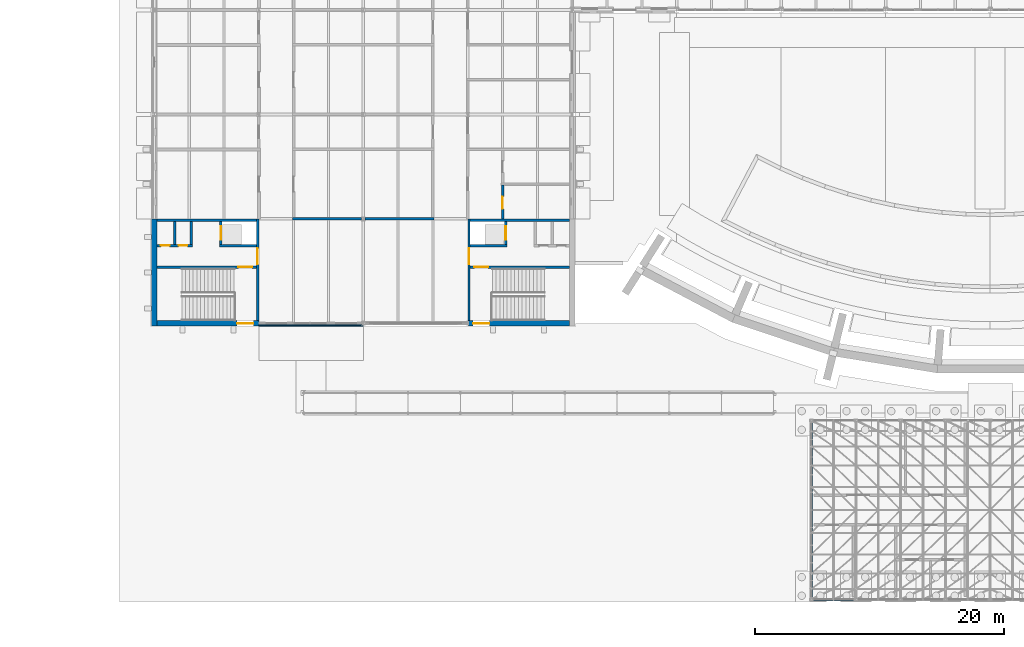
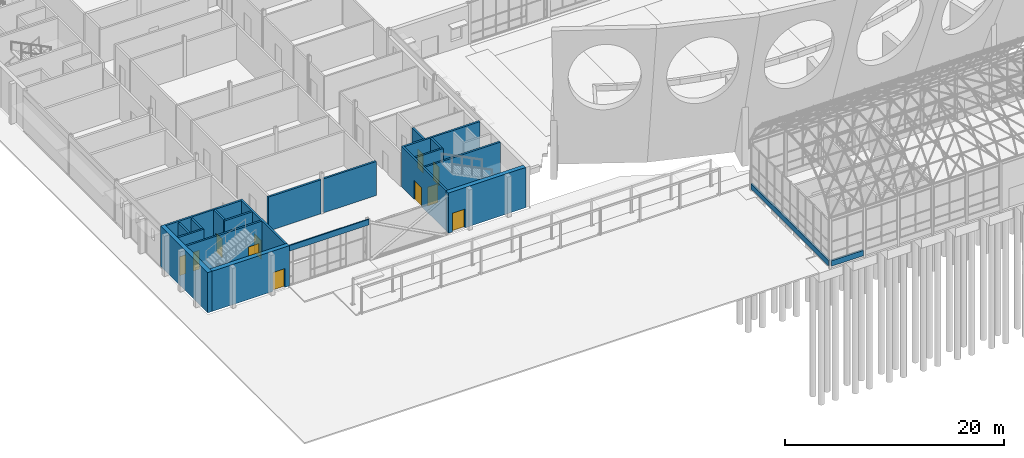
# One storey, part 82 of 116: 22 walls, 11 doors, 11 openings.
"""IFC4 building model written with IfcOpenShell, lengths in metres."""

from ifc_helpers import new_model, si_unit, direction, frame, frame_2d, origin, place, context, subcontext, project, spatial, rectangle, extrude, material, layer, layer_set, type_object, element, fill, save


model = new_model("IFC4")

# Units and contexts
model_context = context("Model", 3, precision=1e-05, world=origin(), true_north=direction((0.0, 1.0)))
body_context = subcontext(model_context, "Body", "Model", "MODEL_VIEW")
ifc_project = project(units=[si_unit("LENGTHUNIT", "METRE"), si_unit("AREAUNIT", "SQUARE_METRE"), si_unit("VOLUMEUNIT", "CUBIC_METRE"), si_unit("PLANEANGLEUNIT", "RADIAN"), si_unit("MASSUNIT", "GRAM", prefix="KILO")], contexts=[model_context])

# Site, building, storey
site_placement = place(None, origin())
site = spatial("IfcSite", under=ifc_project, at=site_placement, CompositionType="ELEMENT")
building_placement = place(site_placement, origin())
building = spatial("IfcBuilding", under=site, at=building_placement, Name="Ardhachandra Cancer Care Centre", CompositionType="ELEMENT")
storey_placement = place(building_placement, origin())
storey = spatial("IfcBuildingStorey", under=building, at=storey_placement, Name="L00", CompositionType="ELEMENT", Elevation=0.0)

# Wall, opening, door
ifc_material_1 = material(Name="Gypsum board corridor partition on steel studs", Category="steel")
ifc_layer_1 = layer(ifc_material_1, 0.199951171875)
ifc_layer_set_1 = layer_set([ifc_layer_1], Name="Gypsum board corridor partition on steel studs")
wall_type_1 = type_object("IfcWallType", Name="CORRIDOR WALL 200", PredefinedType="PARTITIONING", material=ifc_layer_set_1)
wall_1_placement = place(storey_placement, frame((38.800048828125, 37.800048828125, 0.0), z_axis=(0.0, 0.0, 1.0), x_axis=(0.0, 1.0, 0.0)))
wall_1 = element("IfcWall", 1, at=wall_1_placement, inside=storey, type_object=wall_type_1, Name="R/wall/L00/v0038800_0037800", PredefinedType="PARTITIONING", context=body_context, shape_type="SweptSolid", body=[
    extrude(rectangle(XDim=2.724853515625, YDim=0.199951171875, at=frame_2d((1.3623046875, 0.0))), origin(), (0.0, 0.0, 1.0), 3.949951171875),
])
opening_1_placement = place(wall_1_placement, frame((0.800048828125, 0.0, 0.0)))
opening_1 = element("IfcOpeningElement", 2, at=opening_1_placement, cuts=wall_1, Name="Opening L00-0071", PredefinedType="OPENING", context=body_context, shape_type="SweptSolid", body=[
    extrude(rectangle(XDim=1.0, YDim=2.10009765625, at=frame_2d((0.5, 1.050048828125))), frame((0.0, 0.10986328125, 0.0), z_axis=(0.0, -1.0, 0.0), x_axis=(1.0, 0.0, 0.0)), (0.0, 0.0, 1.0), 0.219970703125),
])
ifc_material_2 = material(Name="Timber fire door with smoke seals", Category="wood")
door_type_1 = type_object("IfcDoorType", Name="FIRE DOOR SINGLE 1000x2100 FD30S", OperationType="NOTDEFINED", PredefinedType="DOOR", material=ifc_material_2)
door_1_placement = place(opening_1_placement, origin())
door_1 = element("IfcDoor", 3, at=door_1_placement, inside=storey, type_object=door_type_1, Name="Door L00-0071", OperationType="SINGLE_SWING_LEFT", OverallHeight=2.10009765625, OverallWidth=1.0, PredefinedType="DOOR", context=body_context, shape_type="SweptSolid", body=[
    extrude(rectangle(XDim=1.0, YDim=2.10009765625, at=frame_2d((0.5, 1.050048828125))), frame((0.0, 0.02490234375, 0.0), z_axis=(0.0, -1.0, 0.0), x_axis=(1.0, 0.0, 0.0)), (0.0, 0.0, 1.0), 0.050048828125),
])
fill(opening_1, door_1)

# Wall
ifc_material_3 = material(Name="Concrete M40", Category="concrete")
ifc_layer_2 = layer(ifc_material_3, 0.449951171875)
ifc_layer_set_2 = layer_set([ifc_layer_2], Name="Concrete M40")
wall_type_2 = type_object("IfcWallType", Name="Core exterior wall RC 450", PredefinedType="SOLIDWALL", material=ifc_layer_set_2)
wall_2_placement = place(storey_placement, frame((10.800048828125, 29.175048828125, 0.0), z_axis=(0.0, 0.0, 1.0), x_axis=(0.0, 1.0, 0.0)))
element("IfcWall", 4, at=wall_2_placement, inside=storey, type_object=wall_type_2, Name="Core wall K1 FAR", PredefinedType="SOLIDWALL", context=body_context, shape_type="SweptSolid", body=[
    extrude(rectangle(XDim=8.625, YDim=0.449951171875, at=frame_2d((4.3125, 0.0))), origin(), (0.0, 0.0, 1.0), 4.5),
])

# Wall, opening, door
wall_3_placement = place(storey_placement, frame((19.199951171875, 29.39990234375, 0.0), z_axis=(0.0, 0.0, 1.0), x_axis=(-1.0, 0.0, 0.0)))
wall_3 = element("IfcWall", 5, at=wall_3_placement, inside=storey, type_object=wall_type_2, Name="Core wall K1 UW", PredefinedType="SOLIDWALL", context=body_context, shape_type="SweptSolid", body=[
    extrude(rectangle(XDim=8.175048828125, YDim=0.449951171875, at=frame_2d((4.08740234375, 0.0))), origin(), (0.0, 0.0, 1.0), 4.5),
])
opening_2_placement = place(wall_3_placement, frame((0.4375, 0.0, 0.0)))
opening_2 = element("IfcOpeningElement", 6, at=opening_2_placement, cuts=wall_3, Name="Opening L00-K01-6", PredefinedType="OPENING", context=body_context, shape_type="SweptSolid", body=[
    extrude(rectangle(XDim=1.300048828125, YDim=2.10009765625, at=frame_2d((0.64990234375, 1.050048828125))), frame((0.0, 0.23486328125, 0.0), z_axis=(0.0, -1.0, 0.0), x_axis=(1.0, 0.0, 0.0)), (0.0, 0.0, 1.0), 0.469970703125),
])
ifc_material_4 = material(Name="Steel door set", Category="steel")
door_type_2 = type_object("IfcDoorType", Name="Core exit double door 1300x2100 FD60S", OperationType="DOUBLE_DOOR_DOUBLE_SWING", PredefinedType="DOOR", material=ifc_material_4)
door_2_placement = place(opening_2_placement, origin())
door_2 = element("IfcDoor", 7, at=door_2_placement, inside=storey, type_object=door_type_2, Name="Stair exit door", OperationType="DOUBLE_DOOR_DOUBLE_SWING", OverallHeight=2.10009765625, OverallWidth=1.300048828125, PredefinedType="DOOR", context=body_context, shape_type="SweptSolid", body=[
    extrude(rectangle(XDim=1.300048828125, YDim=2.10009765625, at=frame_2d((0.64990234375, 1.050048828125))), frame((0.0, 0.02490234375, 0.0), z_axis=(0.0, -1.0, 0.0), x_axis=(1.0, 0.0, 0.0)), (0.0, 0.0, 1.0), 0.050048828125),
])
fill(opening_2, door_2)

wall_4_placement = place(storey_placement, frame((36.0, 29.39990234375, 0.0), z_axis=(0.0, 0.0, 1.0), x_axis=(1.0, 0.0, 0.0)))
wall_4 = element("IfcWall", 8, at=wall_4_placement, inside=storey, type_object=wall_type_2, Name="Core wall K2 UW", PredefinedType="SOLIDWALL", context=body_context, shape_type="SweptSolid", body=[
    extrude(rectangle(XDim=8.175048828125, YDim=0.449951171875, at=frame_2d((4.08740234375, 0.0))), origin(), (0.0, 0.0, 1.0), 4.5),
])
opening_3_placement = place(wall_4_placement, frame((0.4375, 0.0, 0.0)))
opening_3 = element("IfcOpeningElement", 9, at=opening_3_placement, cuts=wall_4, Name="Opening L00-K02-6", PredefinedType="OPENING", context=body_context, shape_type="SweptSolid", body=[
    extrude(rectangle(XDim=1.300048828125, YDim=2.10009765625, at=frame_2d((0.64990234375, 1.050048828125))), frame((0.0, 0.23486328125, 0.0), z_axis=(0.0, -1.0, 0.0), x_axis=(1.0, 0.0, 0.0)), (0.0, 0.0, 1.0), 0.469970703125),
])
door_3_placement = place(opening_3_placement, origin())
door_3 = element("IfcDoor", 10, at=door_3_placement, inside=storey, type_object=door_type_2, Name="Stair exit door", OperationType="DOUBLE_DOOR_DOUBLE_SWING", OverallHeight=2.10009765625, OverallWidth=1.300048828125, PredefinedType="DOOR", context=body_context, shape_type="SweptSolid", body=[
    extrude(rectangle(XDim=1.300048828125, YDim=2.10009765625, at=frame_2d((0.64990234375, 1.050048828125))), frame((0.0, 0.02490234375, 0.0), z_axis=(0.0, -1.0, 0.0), x_axis=(1.0, 0.0, 0.0)), (0.0, 0.0, 1.0), 0.050048828125),
])
fill(opening_3, door_3)

ifc_material_5 = material(Name="Concrete M40", Category="concrete")
ifc_layer_3 = layer(ifc_material_5, 0.199951171875)
ifc_layer_set_3 = layer_set([ifc_layer_3], Name="Concrete M40")
wall_type_3 = type_object("IfcWallType", Name="Core wall RC 200", PredefinedType="SOLIDWALL", material=ifc_layer_set_3)
wall_5_placement = place(storey_placement, frame((19.10009765625, 29.625, 0.0), z_axis=(0.0, 0.0, 1.0), x_axis=(0.0, 1.0, 0.0)))
wall_5 = element("IfcWall", 11, at=wall_5_placement, inside=storey, type_object=wall_type_3, Name="Core wall K1 ENT", PredefinedType="SOLIDWALL", context=body_context, shape_type="SweptSolid", body=[
    extrude(rectangle(XDim=8.175048828125, YDim=0.199951171875, at=frame_2d((4.08740234375, 0.0))), origin(), (0.0, 0.0, 1.0), 4.5),
])
opening_4_placement = place(wall_5_placement, frame((4.512451171875, 0.0, 0.0)))
opening_4 = element("IfcOpeningElement", 12, at=opening_4_placement, cuts=wall_5, Name="Opening L00-K01-1", PredefinedType="OPENING", context=body_context, shape_type="SweptSolid", body=[
    extrude(rectangle(XDim=1.300048828125, YDim=2.10009765625, at=frame_2d((0.64990234375, 1.050048828125))), frame((0.0, 0.10986328125, 0.0), z_axis=(0.0, -1.0, 0.0), x_axis=(1.0, 0.0, 0.0)), (0.0, 0.0, 1.0), 0.219970703125),
])
ifc_material_6 = material(Name="Steel door set", Category="steel")
door_type_3 = type_object("IfcDoorType", Name="Core entry double door 1300x2100 FD60", OperationType="DOUBLE_DOOR_DOUBLE_SWING", PredefinedType="DOOR", material=ifc_material_6)
door_4_placement = place(opening_4_placement, origin())
door_4 = element("IfcDoor", 13, at=door_4_placement, inside=storey, type_object=door_type_3, Name="Core entry door", OperationType="DOUBLE_DOOR_DOUBLE_SWING", OverallHeight=2.10009765625, OverallWidth=1.300048828125, PredefinedType="DOOR", context=body_context, shape_type="SweptSolid", body=[
    extrude(rectangle(XDim=1.300048828125, YDim=2.10009765625, at=frame_2d((0.64990234375, 1.050048828125))), frame((0.0, 0.02490234375, 0.0), z_axis=(0.0, -1.0, 0.0), x_axis=(1.0, 0.0, 0.0)), (0.0, 0.0, 1.0), 0.050048828125),
])
fill(opening_4, door_4)

# Wall
wall_6_placement = place(storey_placement, frame((19.0, 37.699951171875, 0.0), z_axis=(0.0, 0.0, 1.0), x_axis=(-1.0, 0.0, 0.0)))
element("IfcWall", 14, at=wall_6_placement, inside=storey, type_object=wall_type_3, Name="Core wall K1 UE", PredefinedType="SOLIDWALL", context=body_context, shape_type="SweptSolid", body=[
    extrude(rectangle(XDim=7.97509765625, YDim=0.199951171875, at=frame_2d((3.987548828125, 0.0))), origin(), (0.0, 0.0, 1.0), 4.5),
])

# Wall, opening, door
wall_7_placement = place(storey_placement, frame((19.0, 33.925048828125, 0.0), z_axis=(0.0, 0.0, 1.0), x_axis=(-1.0, 0.0, 0.0)))
wall_7 = element("IfcWall", 15, at=wall_7_placement, inside=storey, type_object=wall_type_3, Name="Core wall K1 P1", PredefinedType="SOLIDWALL", context=body_context, shape_type="SweptSolid", body=[
    extrude(rectangle(XDim=7.97509765625, YDim=0.199951171875, at=frame_2d((3.987548828125, 0.0))), origin(), (0.0, 0.0, 1.0), 4.5),
])
opening_5_placement = place(wall_7_placement, frame((0.33740234375, 0.0, 0.0)))
opening_5 = element("IfcOpeningElement", 16, at=opening_5_placement, cuts=wall_7, Name="Opening L00-K01-2", PredefinedType="OPENING", context=body_context, shape_type="SweptSolid", body=[
    extrude(rectangle(XDim=1.10009765625, YDim=2.10009765625, at=frame_2d((0.550048828125, 1.050048828125))), frame((0.0, 0.10986328125, 0.0), z_axis=(0.0, -1.0, 0.0), x_axis=(1.0, 0.0, 0.0)), (0.0, 0.0, 1.0), 0.219970703125),
])
ifc_material_7 = material(Name="Steel door set", Category="steel")
door_type_4 = type_object("IfcDoorType", Name="Stair door 1100x2100 FD60S", OperationType="NOTDEFINED", PredefinedType="DOOR", material=ifc_material_7)
door_5_placement = place(opening_5_placement, origin())
door_5 = element("IfcDoor", 17, at=door_5_placement, inside=storey, type_object=door_type_4, Name="Stair door", OperationType="SINGLE_SWING_LEFT", OverallHeight=2.10009765625, OverallWidth=1.10009765625, PredefinedType="DOOR", context=body_context, shape_type="SweptSolid", body=[
    extrude(rectangle(XDim=1.10009765625, YDim=2.10009765625, at=frame_2d((0.550048828125, 1.050048828125))), frame((0.0, 0.02490234375, 0.0), z_axis=(0.0, -1.0, 0.0), x_axis=(1.0, 0.0, 0.0)), (0.0, 0.0, 1.0), 0.050048828125),
])
fill(opening_5, door_5)

# Wall
wall_8_placement = place(storey_placement, frame((19.0, 35.64990234375, 0.0), z_axis=(0.0, 0.0, 1.0), x_axis=(-1.0, 0.0, 0.0)))
element("IfcWall", 18, at=wall_8_placement, inside=storey, type_object=wall_type_3, Name="Core wall K1 P2A", PredefinedType="SOLIDWALL", context=body_context, shape_type="SweptSolid", body=[
    extrude(rectangle(XDim=2.949951171875, YDim=0.199951171875, at=frame_2d((1.47509765625, 0.0))), origin(), (0.0, 0.0, 1.0), 4.5),
])

# Wall, openings, doors
wall_9_placement = place(storey_placement, frame((13.875, 35.64990234375, 0.0), z_axis=(0.0, 0.0, 1.0), x_axis=(-1.0, 0.0, 0.0)))
wall_9 = element("IfcWall", 19, at=wall_9_placement, inside=storey, type_object=wall_type_3, Name="Core wall K1 P2B", PredefinedType="SOLIDWALL", context=body_context, shape_type="SweptSolid", body=[
    extrude(rectangle(XDim=2.85009765625, YDim=0.199951171875, at=frame_2d((1.425048828125, 0.0))), origin(), (0.0, 0.0, 1.0), 4.35009765625),
])
opening_6_placement = place(wall_9_placement, frame((0.425048828125, 0.0, 0.0)))
opening_6 = element("IfcOpeningElement", 20, at=opening_6_placement, cuts=wall_9, Name="Opening L00-K01-4", PredefinedType="OPENING", context=body_context, shape_type="SweptSolid", body=[
    extrude(rectangle(XDim=0.699951171875, YDim=2.10009765625, at=frame_2d((0.35009765625, 1.050048828125))), frame((0.0, 0.10986328125, 0.0), z_axis=(0.0, -1.0, 0.0), x_axis=(1.0, 0.0, 0.0)), (0.0, 0.0, 1.0), 0.219970703125),
])
opening_7_placement = place(wall_9_placement, frame((1.85009765625, 0.0, 0.0)))
opening_7 = element("IfcOpeningElement", 21, at=opening_7_placement, cuts=wall_9, Name="Opening L00-K01-5", PredefinedType="OPENING", context=body_context, shape_type="SweptSolid", body=[
    extrude(rectangle(XDim=0.699951171875, YDim=2.10009765625, at=frame_2d((0.35009765625, 1.050048828125))), frame((0.0, 0.10986328125, 0.0), z_axis=(0.0, -1.0, 0.0), x_axis=(1.0, 0.0, 0.0)), (0.0, 0.0, 1.0), 0.219970703125),
])
ifc_material_8 = material(Name="Steel door set", Category="steel")
door_type_5 = type_object("IfcDoorType", Name="Riser access door 700x2100 FD120S", OperationType="NOTDEFINED", PredefinedType="DOOR", material=ifc_material_8)
door_6_placement = place(opening_6_placement, origin())
door_6 = element("IfcDoor", 22, at=door_6_placement, inside=storey, type_object=door_type_5, Name="Riser access door", OperationType="SINGLE_SWING_LEFT", OverallHeight=2.10009765625, OverallWidth=0.699951171875, PredefinedType="DOOR", context=body_context, shape_type="SweptSolid", body=[
    extrude(rectangle(XDim=0.699951171875, YDim=2.10009765625, at=frame_2d((0.35009765625, 1.050048828125))), frame((0.0, 0.02490234375, 0.0), z_axis=(0.0, -1.0, 0.0), x_axis=(1.0, 0.0, 0.0)), (0.0, 0.0, 1.0), 0.050048828125),
])
fill(opening_6, door_6)
door_7_placement = place(opening_7_placement, origin())
door_7 = element("IfcDoor", 23, at=door_7_placement, inside=storey, type_object=door_type_5, Name="Riser access door", OperationType="SINGLE_SWING_RIGHT", OverallHeight=2.10009765625, OverallWidth=0.699951171875, PredefinedType="DOOR", context=body_context, shape_type="SweptSolid", body=[
    extrude(rectangle(XDim=0.699951171875, YDim=2.10009765625, at=frame_2d((0.35009765625, 1.050048828125))), frame((0.0, 0.02490234375, 0.0), z_axis=(0.0, -1.0, 0.0), x_axis=(1.0, 0.0, 0.0)), (0.0, 0.0, 1.0), 0.050048828125),
])
fill(opening_7, door_7)

# Wall, opening, door
wall_10_placement = place(storey_placement, frame((16.14990234375, 35.75, 0.0), z_axis=(0.0, 0.0, 1.0), x_axis=(0.0, 1.0, 0.0)))
wall_10 = element("IfcWall", 24, at=wall_10_placement, inside=storey, type_object=wall_type_3, Name="Core wall K1 W1", PredefinedType="SOLIDWALL", context=body_context, shape_type="SweptSolid", body=[
    extrude(rectangle(XDim=1.85009765625, YDim=0.199951171875, at=frame_2d((0.925048828125, 0.0))), origin(), (0.0, 0.0, 1.0), 4.5),
])
opening_8_placement = place(wall_10_placement, frame((0.375, 0.0, 0.0)))
opening_8 = element("IfcOpeningElement", 25, at=opening_8_placement, cuts=wall_10, Name="Opening L00-K01-3", PredefinedType="OPENING", context=body_context, shape_type="SweptSolid", body=[
    extrude(rectangle(XDim=1.10009765625, YDim=2.10009765625, at=frame_2d((0.550048828125, 1.050048828125))), frame((0.0, 0.10986328125, 0.0), z_axis=(0.0, -1.0, 0.0), x_axis=(1.0, 0.0, 0.0)), (0.0, 0.0, 1.0), 0.219970703125),
])
ifc_material_9 = material(Name="Stainless steel (grade 304)", Category="steel")
door_type_6 = type_object("IfcDoorType", Name="Lift landing door 1100x2100", OperationType="DOUBLE_DOOR_SLIDING", PredefinedType="DOOR", material=ifc_material_9)
door_8_placement = place(opening_8_placement, origin())
door_8 = element("IfcDoor", 26, at=door_8_placement, inside=storey, type_object=door_type_6, Name="Lift landing door LF-K1-1", OperationType="DOUBLE_DOOR_SLIDING", OverallHeight=2.10009765625, OverallWidth=1.10009765625, PredefinedType="DOOR", context=body_context, shape_type="SweptSolid", body=[
    extrude(rectangle(XDim=1.10009765625, YDim=2.10009765625, at=frame_2d((0.550048828125, 1.050048828125))), frame((0.0, 0.02490234375, 0.0), z_axis=(0.0, -1.0, 0.0), x_axis=(1.0, 0.0, 0.0)), (0.0, 0.0, 1.0), 0.050048828125),
])
fill(opening_8, door_8)

# Walls
for number, where, z_axis, x_axis, name in (
    (27, (13.77490234375, 35.75, 0.0), (0.0, 0.0, 1.0), (0.0, 1.0, 0.0), "Core wall K1 W2"),
    (28, (12.425048828125, 35.75, 0.0), (0.0, 0.0, 1.0), (0.0, 1.0, 0.0), "Core wall K1 DIV"),
):
    element("IfcWall", number, at=place(storey_placement, frame(where, z_axis=z_axis, x_axis=x_axis)), inside=storey, type_object=wall_type_3, Name=name, PredefinedType="SOLIDWALL", context=body_context, shape_type="SweptSolid", body=[
        extrude(rectangle(XDim=1.85009765625, YDim=0.199951171875, at=frame_2d((0.925048828125, 0.0))), origin(), (0.0, 0.0, 1.0), 4.35009765625),
    ])

# Wall, opening, door
wall_11_placement = place(storey_placement, frame((36.10009765625, 29.625, 0.0), z_axis=(0.0, 0.0, 1.0), x_axis=(0.0, 1.0, 0.0)))
wall_11 = element("IfcWall", 29, at=wall_11_placement, inside=storey, type_object=wall_type_3, Name="Core wall K2 ENT", PredefinedType="SOLIDWALL", context=body_context, shape_type="SweptSolid", body=[
    extrude(rectangle(XDim=8.175048828125, YDim=0.199951171875, at=frame_2d((4.08740234375, 0.0))), origin(), (0.0, 0.0, 1.0), 4.5),
])
opening_9_placement = place(wall_11_placement, frame((4.512451171875, 0.0, 0.0)))
opening_9 = element("IfcOpeningElement", 30, at=opening_9_placement, cuts=wall_11, Name="Opening L00-K02-1", PredefinedType="OPENING", context=body_context, shape_type="SweptSolid", body=[
    extrude(rectangle(XDim=1.300048828125, YDim=2.10009765625, at=frame_2d((0.64990234375, 1.050048828125))), frame((0.0, 0.10986328125, 0.0), z_axis=(0.0, -1.0, 0.0), x_axis=(1.0, 0.0, 0.0)), (0.0, 0.0, 1.0), 0.219970703125),
])
door_9_placement = place(opening_9_placement, origin())
door_9 = element("IfcDoor", 31, at=door_9_placement, inside=storey, type_object=door_type_3, Name="Core entry door", OperationType="DOUBLE_DOOR_DOUBLE_SWING", OverallHeight=2.10009765625, OverallWidth=1.300048828125, PredefinedType="DOOR", context=body_context, shape_type="SweptSolid", body=[
    extrude(rectangle(XDim=1.300048828125, YDim=2.10009765625, at=frame_2d((0.64990234375, 1.050048828125))), frame((0.0, 0.02490234375, 0.0), z_axis=(0.0, -1.0, 0.0), x_axis=(1.0, 0.0, 0.0)), (0.0, 0.0, 1.0), 0.050048828125),
])
fill(opening_9, door_9)

# Wall
wall_12_placement = place(storey_placement, frame((36.199951171875, 37.699951171875, 0.0), z_axis=(0.0, 0.0, 1.0), x_axis=(1.0, 0.0, 0.0)))
element("IfcWall", 32, at=wall_12_placement, inside=storey, type_object=wall_type_3, Name="Core wall K2 UE", PredefinedType="SOLIDWALL", context=body_context, shape_type="SweptSolid", body=[
    extrude(rectangle(XDim=7.97509765625, YDim=0.199951171875, at=frame_2d((3.987548828125, 0.0))), origin(), (0.0, 0.0, 1.0), 4.5),
])

# Wall, opening, door
wall_13_placement = place(storey_placement, frame((36.199951171875, 33.925048828125, 0.0), z_axis=(0.0, 0.0, 1.0), x_axis=(1.0, 0.0, 0.0)))
wall_13 = element("IfcWall", 33, at=wall_13_placement, inside=storey, type_object=wall_type_3, Name="Core wall K2 P1", PredefinedType="SOLIDWALL", context=body_context, shape_type="SweptSolid", body=[
    extrude(rectangle(XDim=7.97509765625, YDim=0.199951171875, at=frame_2d((3.987548828125, 0.0))), origin(), (0.0, 0.0, 1.0), 4.5),
])
opening_10_placement = place(wall_13_placement, frame((0.33740234375, 0.0, 0.0)))
opening_10 = element("IfcOpeningElement", 34, at=opening_10_placement, cuts=wall_13, Name="Opening L00-K02-2", PredefinedType="OPENING", context=body_context, shape_type="SweptSolid", body=[
    extrude(rectangle(XDim=1.10009765625, YDim=2.10009765625, at=frame_2d((0.550048828125, 1.050048828125))), frame((0.0, 0.10986328125, 0.0), z_axis=(0.0, -1.0, 0.0), x_axis=(1.0, 0.0, 0.0)), (0.0, 0.0, 1.0), 0.219970703125),
])
door_10_placement = place(opening_10_placement, origin())
door_10 = element("IfcDoor", 35, at=door_10_placement, inside=storey, type_object=door_type_4, Name="Stair door", OperationType="SINGLE_SWING_RIGHT", OverallHeight=2.10009765625, OverallWidth=1.10009765625, PredefinedType="DOOR", context=body_context, shape_type="SweptSolid", body=[
    extrude(rectangle(XDim=1.10009765625, YDim=2.10009765625, at=frame_2d((0.550048828125, 1.050048828125))), frame((0.0, 0.02490234375, 0.0), z_axis=(0.0, -1.0, 0.0), x_axis=(1.0, 0.0, 0.0)), (0.0, 0.0, 1.0), 0.050048828125),
])
fill(opening_10, door_10)

# Wall
wall_14_placement = place(storey_placement, frame((36.199951171875, 35.64990234375, 0.0), z_axis=(0.0, 0.0, 1.0), x_axis=(1.0, 0.0, 0.0)))
element("IfcWall", 36, at=wall_14_placement, inside=storey, type_object=wall_type_3, Name="Core wall K2 P2A", PredefinedType="SOLIDWALL", context=body_context, shape_type="SweptSolid", body=[
    extrude(rectangle(XDim=2.949951171875, YDim=0.199951171875, at=frame_2d((1.47509765625, 0.0))), origin(), (0.0, 0.0, 1.0), 4.5),
])

# Wall, opening, door
wall_15_placement = place(storey_placement, frame((39.050048828125, 35.75, 0.0), z_axis=(0.0, 0.0, 1.0), x_axis=(0.0, 1.0, 0.0)))
wall_15 = element("IfcWall", 37, at=wall_15_placement, inside=storey, type_object=wall_type_3, Name="Core wall K2 W1", PredefinedType="SOLIDWALL", context=body_context, shape_type="SweptSolid", body=[
    extrude(rectangle(XDim=1.85009765625, YDim=0.199951171875, at=frame_2d((0.925048828125, 0.0))), origin(), (0.0, 0.0, 1.0), 4.5),
])
opening_11_placement = place(wall_15_placement, frame((0.375, 0.0, 0.0)))
opening_11 = element("IfcOpeningElement", 38, at=opening_11_placement, cuts=wall_15, Name="Opening L00-K02-3", PredefinedType="OPENING", context=body_context, shape_type="SweptSolid", body=[
    extrude(rectangle(XDim=1.10009765625, YDim=2.10009765625, at=frame_2d((0.550048828125, 1.050048828125))), frame((0.0, 0.10986328125, 0.0), z_axis=(0.0, -1.0, 0.0), x_axis=(1.0, 0.0, 0.0)), (0.0, 0.0, 1.0), 0.219970703125),
])
door_11_placement = place(opening_11_placement, origin())
door_11 = element("IfcDoor", 39, at=door_11_placement, inside=storey, type_object=door_type_6, Name="Lift landing door LF-K2-1", OperationType="DOUBLE_DOOR_SLIDING", OverallHeight=2.10009765625, OverallWidth=1.10009765625, PredefinedType="DOOR", context=body_context, shape_type="SweptSolid", body=[
    extrude(rectangle(XDim=1.10009765625, YDim=2.10009765625, at=frame_2d((0.550048828125, 1.050048828125))), frame((0.0, 0.02490234375, 0.0), z_axis=(0.0, -1.0, 0.0), x_axis=(1.0, 0.0, 0.0)), (0.0, 0.0, 1.0), 0.050048828125),
])
fill(opening_11, door_11)

# Walls
ifc_material_10 = material(Name="Precast Concrete M30 fascia panel with brick slip facing", Category="masonry")
ifc_layer_4 = layer(ifc_material_10, 0.1298828125)
ifc_layer_set_4 = layer_set([ifc_layer_4], Name="Precast Concrete M30 fascia panel with brick slip facing")
wall_type_4 = type_object("IfcWallType", Name="Edge beam fascia 130", PredefinedType="SOLIDWALL", material=ifc_layer_set_4)
wall_16_placement = place(storey_placement, frame((19.199951171875, 29.239990234375, 3.8701171875), z_axis=(0.0, 0.0, 1.0), x_axis=(1.0, 0.0, 0.0)))
element("IfcWall", 40, at=wall_16_placement, inside=storey, type_object=wall_type_4, Name="E/fascia/L00/s/0019200_0029400", PredefinedType="SOLIDWALL", context=body_context, shape_type="SweptSolid", body=[
    extrude(rectangle(XDim=8.400146484375, YDim=0.1298828125, at=frame_2d((4.2001953125, 0.0))), origin(), (0.0, 0.0, 1.0), 0.6298828125),
])
ifc_material_11 = material(Name="Lead-lined gypsum board partition")
ifc_layer_5 = layer(ifc_material_11, 0.199951171875)
ifc_layer_set_5 = layer_set([ifc_layer_5], Name="Lead-lined gypsum board partition")
wall_type_5 = type_object("IfcWallType", Name="LEAD-LINED PARTITION 200", PredefinedType="PARTITIONING", material=ifc_layer_set_5)
for number, where, z_axis, x_axis, name in (
    (41, (21.89990234375, 37.800048828125, 0.0), (0.0, 0.0, 1.0), (1.0, 0.0, 0.0), "R/wall/L00/h0037800_0021900"),
    (42, (27.75, 37.800048828125, 0.0), (0.0, 0.0, 1.0), (1.0, 0.0, 0.0), "R/wall/L00/h0037800_0027750"),
):
    element("IfcWall", number, at=place(storey_placement, frame(where, z_axis=z_axis, x_axis=x_axis)), inside=storey, type_object=wall_type_5, Name=name, PredefinedType="PARTITIONING", context=body_context, shape_type="SweptSolid", body=[
        extrude(rectangle(XDim=5.550048828125, YDim=0.199951171875, at=frame_2d((2.77490234375, 0.0))), origin(), (0.0, 0.0, 1.0), 3.800048828125),
    ])
ifc_material_12 = material(Name="Stone masonry (sandstone, cement mortar)", Category="masonry")
ifc_layer_6 = layer(ifc_material_12, 0.199951171875)
ifc_layer_set_6 = layer_set([ifc_layer_6], Name="Stone masonry (sandstone, cement mortar)")
wall_type_6 = type_object("IfcWallType", Name="Pavilion low wall 200", PredefinedType="SOLIDWALL", material=ifc_layer_set_6)
wall_17_placement = place(storey_placement, frame((63.715087890625, 7.199951171875, 0.0), z_axis=(0.0, 0.0, 1.0), x_axis=(1.0, 0.0, 0.0)))
element("IfcWall", 43, at=wall_17_placement, inside=storey, type_object=wall_type_6, Name="Pavilion plinth wall s 1", PredefinedType="SOLIDWALL", context=body_context, shape_type="SweptSolid", body=[
    extrude(rectangle(XDim=3.369873046875, YDim=0.199951171875, at=frame_2d((1.68505859375, 0.0))), origin(), (0.0, 0.0, 1.0), 0.60009765625),
])
wall_18_placement = place(storey_placement, frame((63.60009765625, 7.31494140625, 0.0), z_axis=(0.0, 0.0, 1.0), x_axis=(0.0, 1.0, 0.0)))
element("IfcWall", 44, at=wall_18_placement, inside=storey, type_object=wall_type_6, Name="Pavilion end plinth wall w", PredefinedType="SOLIDWALL", context=body_context, shape_type="SweptSolid", body=[
    extrude(rectangle(XDim=14.170166015625, YDim=0.199951171875, at=frame_2d((7.0849609375, 0.0))), origin(), (0.0, 0.0, 1.0), 0.60009765625),
])

save(model, "model.ifc")
